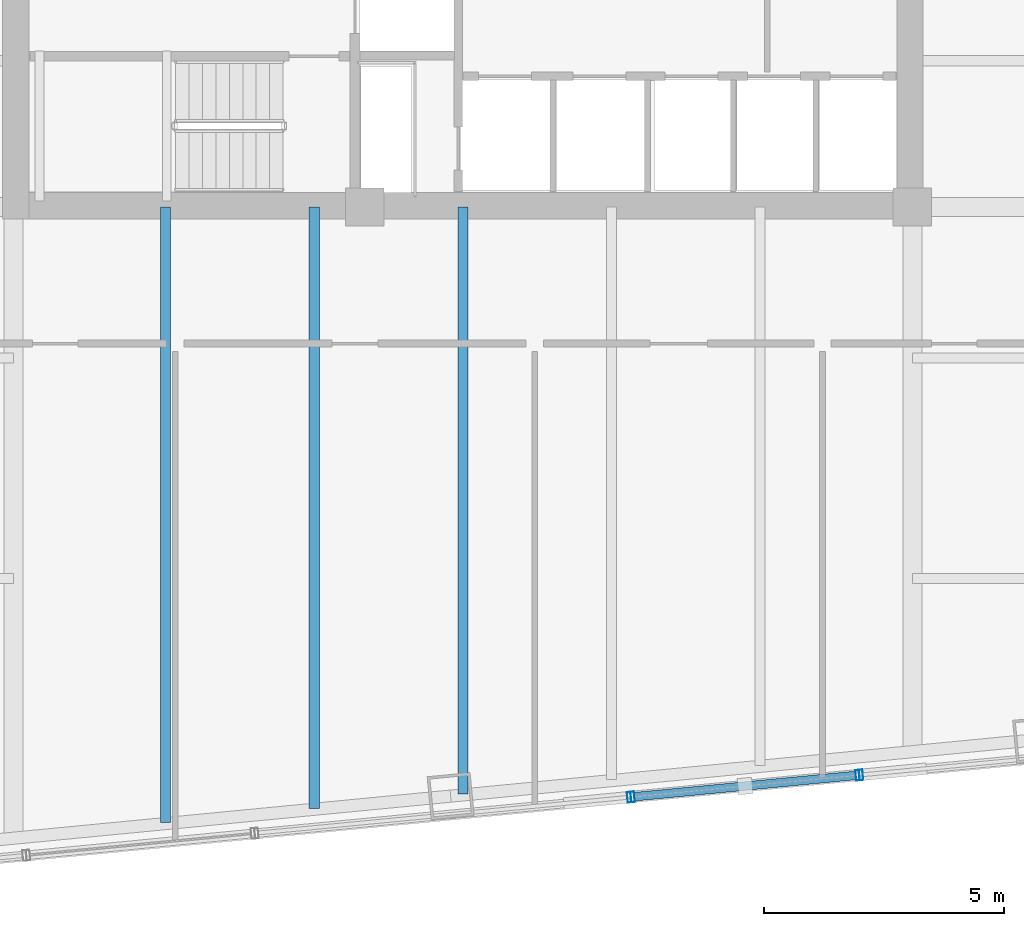
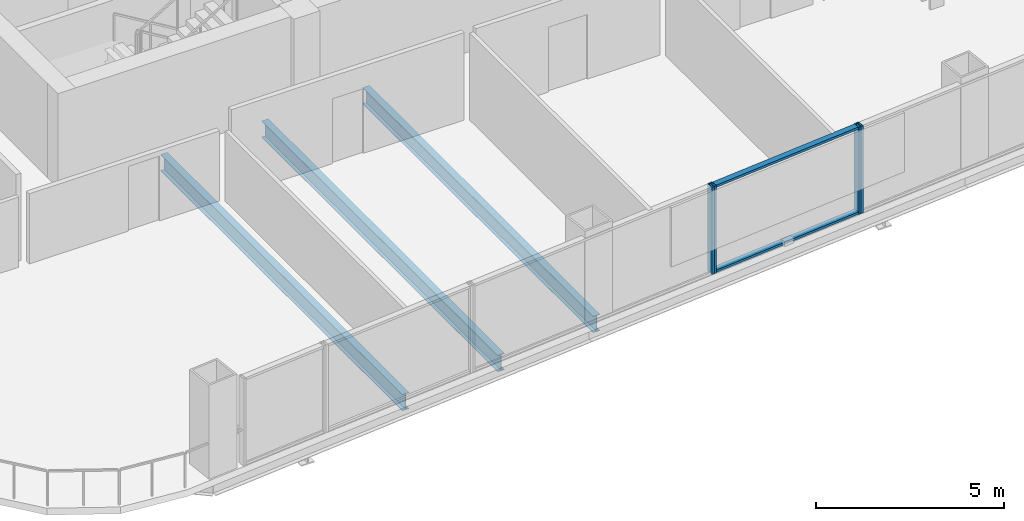
# One storey, part 5 of 32: 6 members, 3 beams, 3 elements without a shape of their own.
"""IFC4 building model written with IfcOpenShell, lengths in metres."""

from ifc_helpers import new_model, si_unit, direction, frame, origin, origin_2d, place, context, subcontext, project, spatial, hollow_rectangle, i_section, extrude, material, layer, layer_set, material_profile, profile_set, type_object, element, aggregate, save


model = new_model("IFC4")

# Units and contexts
model_context = context("Model", 3, precision=1e-05, world=origin(), true_north=direction((0.0, 1.0)))
body_context = subcontext(model_context, "Body", "Model", "MODEL_VIEW")
ifc_project = project(units=[si_unit("LENGTHUNIT", "METRE"), si_unit("AREAUNIT", "SQUARE_METRE"), si_unit("VOLUMEUNIT", "CUBIC_METRE"), si_unit("PLANEANGLEUNIT", "RADIAN"), si_unit("MASSUNIT", "GRAM", prefix="KILO")], contexts=[model_context])

# Site, building, storey
site_placement = place(None, origin())
site = spatial("IfcSite", under=ifc_project, at=site_placement, CompositionType="ELEMENT")
building_placement = place(site_placement, origin())
building = spatial("IfcBuilding", under=site, at=building_placement, Name="Qhalaya Broadcast Tower", CompositionType="ELEMENT")
storey_placement = place(building_placement, frame((0.0, 0.0, 87.75)))
storey = spatial("IfcBuildingStorey", under=building, at=storey_placement, Name="L25", CompositionType="ELEMENT", Elevation=87.75)

# Beams
ifc_material_1 = material(Name="Structural Steel ASTM A992 Grade 50", Category="steel")
ifc_material_profile_1 = material_profile(ifc_material_1, i_section(OverallWidth=0.2099609375, OverallDepth=0.535888671875, WebThickness=0.010986328125, FlangeThickness=0.017333984375, at=origin_2d()), Name="W21X68")
ifc_profile_set_1 = profile_set([ifc_material_profile_1], Name="Structural Steel ASTM A992 Grade 50")
beam_type = type_object("IfcBeamType", Name="Composite Floor Joist J02", PredefinedType="JOIST", material=ifc_profile_set_1)
beam_1_placement = place(storey_placement, frame((-6.199951171875, -21.589111328125, -0.488037109375), z_axis=(0.0, 1.0, 0.0), x_axis=(-1.0, 0.0, 0.0)))
element("IfcBeam", 1, at=beam_1_placement, inside=storey, type_object=beam_type, Name="L25 J02 L25-JNS1-1", PredefinedType="JOIST", context=body_context, shape_type="SweptSolid", body=[
    extrude(i_section(OverallWidth=0.2099609375, OverallDepth=0.535888671875, WebThickness=0.010986328125, FlangeThickness=0.017333984375, at=origin_2d()), origin(), (0.0, 0.0, 1.0), 12.839111328125),
])
beam_2_placement = place(storey_placement, frame((-3.10009765625, -21.290771484375, -0.488037109375), z_axis=(0.0, 1.0, 0.0), x_axis=(-1.0, 0.0, 0.0)))
element("IfcBeam", 2, at=beam_2_placement, inside=storey, type_object=beam_type, Name="L25 J02 L25-JNS2-1", PredefinedType="JOIST", context=body_context, shape_type="SweptSolid", body=[
    extrude(i_section(OverallWidth=0.2099609375, OverallDepth=0.535888671875, WebThickness=0.010986328125, FlangeThickness=0.017333984375, at=origin_2d()), origin(), (0.0, 0.0, 1.0), 12.540771484375),
])
beam_3_placement = place(storey_placement, frame((0.0, -20.9921875, -0.488037109375), z_axis=(0.0, 1.0, 0.0), x_axis=(-1.0, 0.0, 0.0)))
element("IfcBeam", 3, at=beam_3_placement, inside=storey, type_object=beam_type, Name="L25 J02 L25-JNS3-1", PredefinedType="JOIST", context=body_context, shape_type="SweptSolid", body=[
    extrude(i_section(OverallWidth=0.2099609375, OverallDepth=0.535888671875, WebThickness=0.010986328125, FlangeThickness=0.017333984375, at=origin_2d()), origin(), (0.0, 0.0, 1.0), 12.2421875),
])

# Curtain wall, member
ifc_material_2 = material(Name="Fired Architectural Terracotta", Category="masonry")
ifc_layer_1 = layer(ifc_material_2, 0.219970703125, Name="Fired Architectural Terracotta")
ifc_layer_set_1 = layer_set([ifc_layer_1], Name="Fired Architectural Terracotta")
curtain_wall_type_1 = type_object("IfcCurtainWallType", Name="Block-Cap Unitised Terracotta Spandrel Wall CW-07", PredefinedType="NOTDEFINED", material=ifc_layer_set_1)
curtain_wall_1_placement = place(storey_placement, origin())
curtain_wall_1 = element("IfcCurtainWall", 4, at=curtain_wall_1_placement, inside=storey, type_object=curtain_wall_type_1, Name="L25 Unitised Curtain Wall L25-CW-S3", PredefinedType="NOTDEFINED")
ifc_material_3 = material(Name="Anodised Aluminium 6063-T6", Category="aluminium")
ifc_material_profile_2 = material_profile(ifc_material_3, hollow_rectangle(XDim=0.074951171875, YDim=0.219970703125, WallThickness=0.00390625, at=origin_2d()), Name="ALU-MUL 75x220x4")
ifc_profile_set_2 = profile_set([ifc_material_profile_2], Name="Anodised Aluminium 6063-T6")
member_type_1 = type_object("IfcMemberType", Name="Unitised Curtain-Wall Mullion M01", PredefinedType="MULLION", material=ifc_profile_set_2)
member_1_placement = place(storey_placement, frame((3.467041015625, -21.060302734375, 0.0), z_axis=(0.0, 0.0, 1.0), x_axis=(0.995396908899, 0.095838373083, 0.0)))
member_1 = element("IfcMember", 5, at=member_1_placement, type_object=member_type_1, Name="CW-07 mullion 2", PredefinedType="MULLION", context=body_context, shape_type="SweptSolid", body=[
    extrude(hollow_rectangle(XDim=0.074951171875, YDim=0.219970703125, WallThickness=0.00390625, at=origin_2d()), origin(), (0.0, 0.0, 1.0), 2.830078125),
])
aggregate(curtain_wall_1, [member_1])

# Curtain wall, members
ifc_material_4 = material(Name="Solar-Control Low-E Triple Glazing", Category="glass")
ifc_layer_2 = layer(ifc_material_4, 0.219970703125, Name="Solar-Control Low-E Triple Glazing")
ifc_layer_set_2 = layer_set([ifc_layer_2], Name="Solar-Control Low-E Triple Glazing")
curtain_wall_type_2 = type_object("IfcCurtainWallType", Name="Even-Block 4-Storey Double-Module Curtain Wall CW-03", PredefinedType="NOTDEFINED", material=ifc_layer_set_2)
curtain_wall_2_placement = place(storey_placement, origin())
curtain_wall_2 = element("IfcCurtainWall", 6, at=curtain_wall_2_placement, inside=storey, type_object=curtain_wall_type_2, Name="L25 Unitised Curtain Wall L25-CW-S4", PredefinedType="NOTDEFINED")
member_2_placement = place(storey_placement, frame((3.541748046875, -21.05322265625, 0.0), z_axis=(0.0, 0.0, 1.0), x_axis=(0.995394623965, 0.095862101904, 0.0)))
member_2 = element("IfcMember", 7, at=member_2_placement, type_object=member_type_1, Name="CW-03 mullion 1", PredefinedType="MULLION", context=body_context, shape_type="SweptSolid", body=[
    extrude(hollow_rectangle(XDim=0.074951171875, YDim=0.219970703125, WallThickness=0.00390625, at=origin_2d()), origin(), (0.0, 0.0, 1.0), 2.830078125),
])
member_3_placement = place(storey_placement, frame((8.23095703125, -20.6015625, 0.0), z_axis=(0.0, 0.0, 1.0), x_axis=(0.995394623965, 0.095862101904, 0.0)))
member_3 = element("IfcMember", 8, at=member_3_placement, type_object=member_type_1, Name="CW-03 mullion 2", PredefinedType="MULLION", context=body_context, shape_type="SweptSolid", body=[
    extrude(hollow_rectangle(XDim=0.074951171875, YDim=0.219970703125, WallThickness=0.00390625, at=origin_2d()), origin(), (0.0, 0.0, 1.0), 2.830078125),
])

# Curtain wall, member
curtain_wall_3_placement = place(storey_placement, origin())
curtain_wall_3 = element("IfcCurtainWall", 9, at=curtain_wall_3_placement, inside=storey, type_object=curtain_wall_type_1, Name="L25 Unitised Curtain Wall L25-CW-S5", PredefinedType="NOTDEFINED")
member_4_placement = place(storey_placement, frame((8.3056640625, -20.59423828125, 0.0), z_axis=(0.0, 0.0, 1.0), x_axis=(0.995396908899, 0.095838373083, 0.0)))
member_4 = element("IfcMember", 10, at=member_4_placement, type_object=member_type_1, Name="CW-07 mullion 1", PredefinedType="MULLION", context=body_context, shape_type="SweptSolid", body=[
    extrude(hollow_rectangle(XDim=0.074951171875, YDim=0.219970703125, WallThickness=0.00390625, at=origin_2d()), origin(), (0.0, 0.0, 1.0), 2.830078125),
])
aggregate(curtain_wall_3, [member_4])

# Member
ifc_material_profile_3 = material_profile(ifc_material_3, hollow_rectangle(XDim=0.074951171875, YDim=0.179931640625, WallThickness=0.00390625, at=origin_2d()), Name="ALU-TRN 75x180x4")
ifc_profile_set_3 = profile_set([ifc_material_profile_3], Name="Anodised Aluminium 6063-T6")
member_type_2 = type_object("IfcMemberType", Name="Unitised Curtain-Wall Transom T01", PredefinedType="USERDEFINED", material=ifc_profile_set_3)
member_5_placement = place(storey_placement, frame((3.578857421875, -21.049560546875, 0.03759765625), z_axis=(0.995391452368, 0.09589502882, 0.0), x_axis=(0.0, 0.0, 1.0)))
member_5 = element("IfcMember", 11, at=member_5_placement, type_object=member_type_2, Name="CW-03 transom 1.1", ObjectType="TRANSOM", PredefinedType="USERDEFINED", context=body_context, shape_type="SweptSolid", body=[
    extrude(hollow_rectangle(XDim=0.074951171875, YDim=0.179931640625, WallThickness=0.00390625, at=origin_2d()), origin(), (0.0, 0.0, 1.0), 4.63623046875),
])

member_6_placement = place(storey_placement, frame((3.578857421875, -21.049560546875, 2.79248046875), z_axis=(0.995391452368, 0.09589502882, 0.0), x_axis=(0.0, 0.0, 1.0)))
member_6 = element("IfcMember", 12, at=member_6_placement, type_object=member_type_2, Name="CW-03 transom 1.2", ObjectType="TRANSOM", PredefinedType="USERDEFINED", context=body_context, shape_type="SweptSolid", body=[
    extrude(hollow_rectangle(XDim=0.074951171875, YDim=0.179931640625, WallThickness=0.00390625, at=origin_2d()), origin(), (0.0, 0.0, 1.0), 4.63623046875),
])

aggregate(curtain_wall_2, [member_2, member_3, member_5, member_6])

save(model, "model.ifc")
